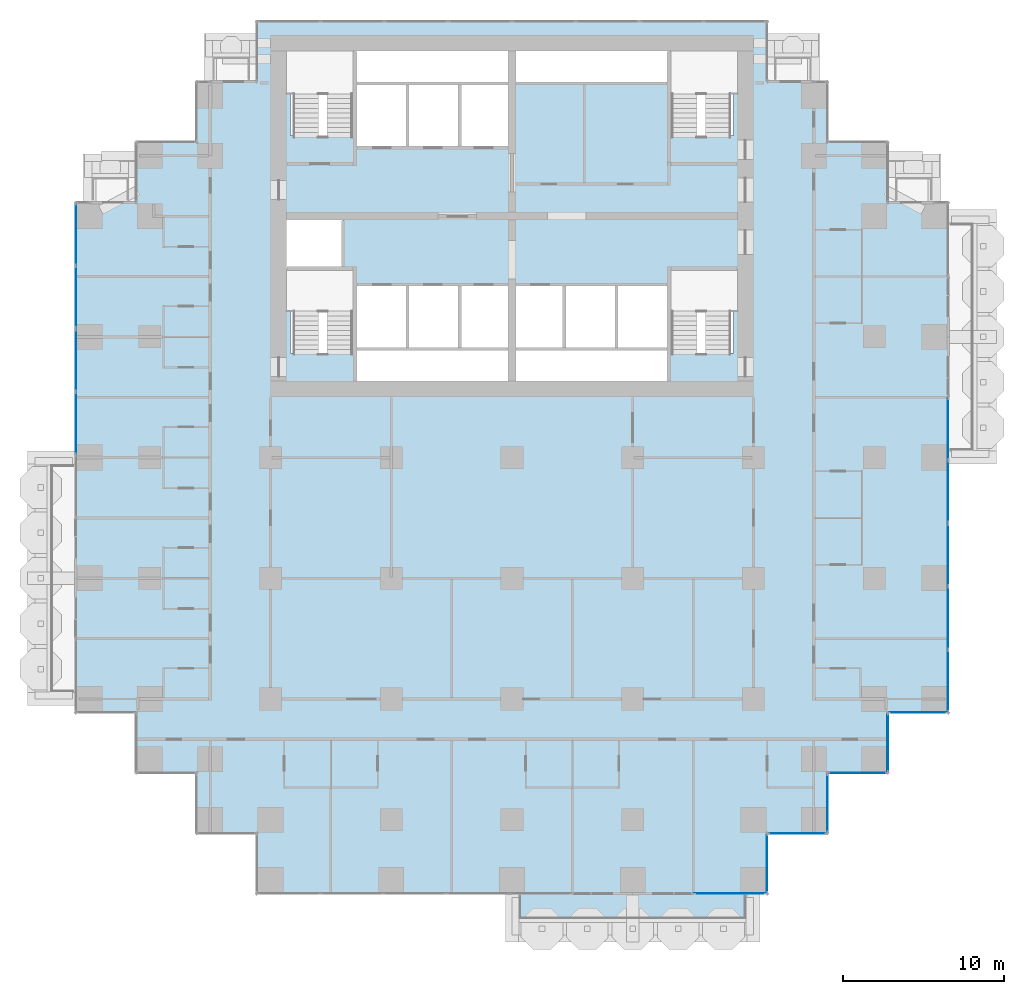
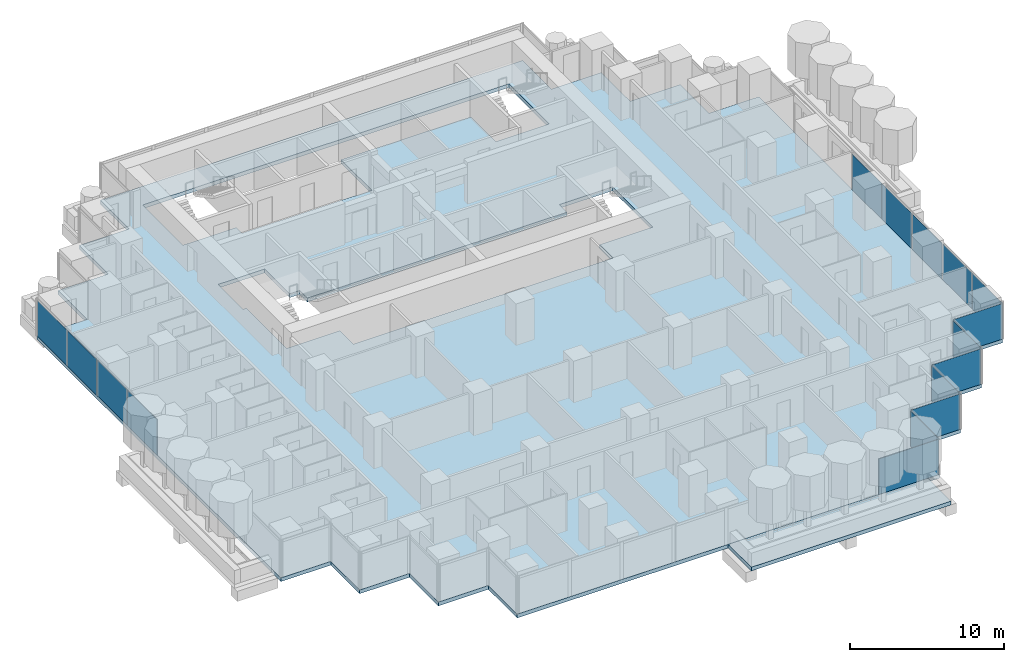
# One storey, part 7 of 18: 16 plates, 2 slabs, 11 elements without a shape of their own.
"""IFC4 building model written with IfcOpenShell, lengths in metres."""

from ifc_helpers import new_model, si_unit, direction, frame, origin, origin_2d, place, context, subcontext, project, spatial, polyline, rectangle, outline, extrude, material, layer, layer_set, type_object, element, aggregate, save


model = new_model("IFC4")

# Units and contexts
model_context = context("Model", 3, precision=1e-05, world=origin(), true_north=direction((0.0, 1.0)))
body_context = subcontext(model_context, "Body", "Model", "MODEL_VIEW")
ifc_project = project(units=[si_unit("LENGTHUNIT", "METRE"), si_unit("AREAUNIT", "SQUARE_METRE"), si_unit("VOLUMEUNIT", "CUBIC_METRE"), si_unit("PLANEANGLEUNIT", "RADIAN"), si_unit("MASSUNIT", "GRAM", prefix="KILO")], contexts=[model_context])

# Site, building, storey
site_placement = place(None, origin())
site = spatial("IfcSite", under=ifc_project, at=site_placement, CompositionType="ELEMENT")
building_placement = place(site_placement, origin())
building = spatial("IfcBuilding", under=site, at=building_placement, Name="Pilkhan Gate Tower", CompositionType="ELEMENT")
storey_placement = place(building_placement, frame((0.0, 0.0, 52.699951171875)))
storey = spatial("IfcBuildingStorey", under=building, at=storey_placement, Name="L10", CompositionType="ELEMENT", Elevation=52.699951171875)

# Slabs
ifc_material_1 = material(Name="Concrete C60/75", Category="concrete")
ifc_layer_1 = layer(ifc_material_1, 0.300048828125)
ifc_layer_set_1 = layer_set([ifc_layer_1], Name="Balcony tray slab TR300")
slab_type_1 = type_object("IfcSlabType", Name="Balcony tray slab TR300", PredefinedType="FLOOR", material=ifc_layer_set_1)
slab_1_placement = place(storey_placement, frame((0.0, 0.0, -0.300048828125)))
element("IfcSlab", 1, at=slab_1_placement, inside=storey, type_object=slab_type_1, Name="Balcony tray L10 S", PredefinedType="FLOOR", context=body_context, shape_type="SweptSolid", body=[
    extrude(outline(polyline([(90.0, 37.39990234375), (90.0, 40.39990234375), (75.0, 40.39990234375), (75.0, 37.39990234375), (90.0, 37.39990234375)])), origin(), (0.0, 0.0, 1.0), 0.300048828125),
])
ifc_material_2 = material(Name="Concrete C40/50", Category="concrete")
ifc_layer_2 = layer(ifc_material_2, 0.300048828125)
ifc_layer_set_2 = layer_set([ifc_layer_2], Name="Flat plate slab FP300")
slab_type_2 = type_object("IfcSlabType", Name="Flat plate slab FP300", PredefinedType="FLOOR", material=ifc_layer_set_2)
slab_2_placement = place(storey_placement, frame((0.0, 0.0, -0.300048828125)))
element("IfcSlab", 2, at=slab_2_placement, inside=storey, type_object=slab_type_2, Name="Floor slab L10", PredefinedType="FLOOR", context=body_context, shape_type="SweptSolid", body=[
    extrude(outline(polyline([(98.35009765625, 47.89990234375), (94.60009765625, 47.89990234375), (94.60009765625, 44.14990234375), (90.85009765625, 44.14990234375), (90.85009765625, 40.39990234375), (59.14990234375, 40.39990234375), (59.14990234375, 44.14990234375), (55.39990234375, 44.14990234375), (55.39990234375, 47.89990234375), (51.64990234375, 47.89990234375), (51.64990234375, 51.64990234375), (47.89990234375, 51.64990234375), (47.89990234375, 83.35009765625), (51.64990234375, 83.35009765625), (51.64990234375, 87.10009765625), (55.39990234375, 87.10009765625), (55.39990234375, 90.85009765625), (59.14990234375, 90.85009765625), (59.14990234375, 94.60009765625), (90.85009765625, 94.60009765625), (90.85009765625, 90.85009765625), (94.60009765625, 90.85009765625), (94.60009765625, 87.10009765625), (98.35009765625, 87.10009765625), (98.35009765625, 83.35009765625), (102.10009765625, 83.35009765625), (102.10009765625, 51.64990234375), (98.35009765625, 51.64990234375), (98.35009765625, 47.89990234375)]), holes=[polyline([(65.25, 87.5), (65.25, 86.75), (68.5, 86.75), (71.75, 86.75), (75.0, 86.75), (75.0, 90.75), (84.75, 90.75), (84.75, 87.5), (88.75, 87.5), (88.75, 92.75), (84.75, 92.75), (75.0, 92.75), (65.25, 92.75), (61.25, 92.75), (61.25, 87.5), (65.25, 87.5)]), polyline([(75.0, 72.25), (84.75, 72.25), (84.75, 74.0), (88.75, 74.0), (88.75, 79.25), (84.75, 79.25), (84.75, 78.25), (81.5, 78.25), (78.25, 78.25), (75.0, 78.25), (71.75, 78.25), (68.5, 78.25), (65.25, 78.25), (65.25, 79.25), (64.5, 79.25), (64.5, 82.5), (61.25, 82.5), (61.0, 82.5), (61.0, 79.25), (61.25, 79.25), (61.25, 74.0), (65.25, 74.0), (65.25, 72.25), (75.0, 72.25)])]), origin(), (0.0, 0.0, 1.0), 0.300048828125),
])

# Curtain wall, plates
ifc_material_3 = material(Name="Pale anodised aluminium, clear low-iron double glazing", Category="aluminium")
curtain_wall_type = type_object("IfcCurtainWallType", Name="Hotel unitised curtain wall CW-H", PredefinedType="USERDEFINED", material=ifc_material_3)
curtain_wall_1_placement = place(storey_placement, origin())
curtain_wall_1 = element("IfcCurtainWall", 3, at=curtain_wall_1_placement, inside=storey, type_object=curtain_wall_type, Name="Hotel unitised curtain wall CW-H L10 E", ObjectType="UNITISED CURTAIN WALL", PredefinedType="USERDEFINED")
ifc_material_4 = material(Name="Clear low-iron double glazing", Category="glass")
ifc_layer_3 = layer(ifc_material_4, 0.035888671875)
ifc_layer_set_3 = layer_set([ifc_layer_3], Name="Glass panel CW-H 36")
plate_type = type_object("IfcPlateType", Name="Glass panel CW-H 36", PredefinedType="CURTAIN_PANEL", material=ifc_layer_set_3)
plate_1_placement = place(storey_placement, frame((102.094970703125, 53.630859375, 0.0), z_axis=(0.0, 0.0, 1.0), x_axis=(0.0, 1.0, 0.0)))
plate_1 = element("IfcPlate", 4, at=plate_1_placement, type_object=plate_type, Name="CW-H panel 1", PredefinedType="CURTAIN_PANEL", context=body_context, shape_type="SweptSolid", body=[
    extrude(rectangle(XDim=3.821533203125, YDim=0.035888671875, at=origin_2d()), origin(), (0.0, 0.0, 1.0), 2.820068359375),
])
plate_2_placement = place(storey_placement, frame((102.094970703125, 57.533447265625, 0.0), z_axis=(0.0, 0.0, 1.0), x_axis=(0.0, 1.0, 0.0)))
plate_2 = element("IfcPlate", 5, at=plate_2_placement, type_object=plate_type, Name="CW-H panel 2", PredefinedType="CURTAIN_PANEL", context=body_context, shape_type="SweptSolid", body=[
    extrude(rectangle(XDim=3.85400390625, YDim=0.035888671875, at=origin_2d()), origin(), (0.0, 0.0, 1.0), 2.820068359375),
])
plate_3_placement = place(storey_placement, frame((102.094970703125, 61.436279296875, 0.0), z_axis=(0.0, 0.0, 1.0), x_axis=(0.0, 1.0, 0.0)))
plate_3 = element("IfcPlate", 6, at=plate_3_placement, type_object=plate_type, Name="CW-H panel 3", PredefinedType="CURTAIN_PANEL", context=body_context, shape_type="SweptSolid", body=[
    extrude(rectangle(XDim=3.821533203125, YDim=0.035888671875, at=origin_2d()), origin(), (0.0, 0.0, 1.0), 2.820068359375),
])
aggregate(curtain_wall_1, [plate_1, plate_2, plate_3])

curtain_wall_2_placement = place(storey_placement, origin())
curtain_wall_2 = element("IfcCurtainWall", 7, at=curtain_wall_2_placement, inside=storey, type_object=curtain_wall_type, Name="Hotel unitised curtain wall CW-H L10 E", ObjectType="UNITISED CURTAIN WALL", PredefinedType="USERDEFINED")
plate_4_placement = place(storey_placement, frame((102.094970703125, 65.3876953125, 0.0), z_axis=(0.0, 0.0, 1.0), x_axis=(0.0, 1.0, 0.0)))
plate_4 = element("IfcPlate", 8, at=plate_4_placement, type_object=plate_type, Name="CW-H panel 1", PredefinedType="CURTAIN_PANEL", context=body_context, shape_type="SweptSolid", body=[
    extrude(rectangle(XDim=3.821533203125, YDim=0.035888671875, at=origin_2d()), origin(), (0.0, 0.0, 1.0), 2.820068359375),
])
plate_5_placement = place(storey_placement, frame((102.094970703125, 69.274169921875, 0.0), z_axis=(0.0, 0.0, 1.0), x_axis=(0.0, 1.0, 0.0)))
plate_5 = element("IfcPlate", 9, at=plate_5_placement, type_object=plate_type, Name="CW-H panel 2", PredefinedType="CURTAIN_PANEL", context=body_context, shape_type="SweptSolid", body=[
    extrude(rectangle(XDim=3.821533203125, YDim=0.035888671875, at=origin_2d()), origin(), (0.0, 0.0, 1.0), 2.820068359375),
])
aggregate(curtain_wall_2, [plate_4, plate_5])

curtain_wall_3_placement = place(storey_placement, origin())
curtain_wall_3 = element("IfcCurtainWall", 10, at=curtain_wall_3_placement, inside=storey, type_object=curtain_wall_type, Name="Hotel unitised curtain wall CW-H L10 W", ObjectType="UNITISED CURTAIN WALL", PredefinedType="USERDEFINED")
plate_6_placement = place(storey_placement, frame((47.905029296875, 69.62841796875, 0.0), z_axis=(0.0, 0.0, 1.0), x_axis=(0.0, 1.0, 0.0)))
plate_6 = element("IfcPlate", 11, at=plate_6_placement, type_object=plate_type, Name="CW-H panel 2", PredefinedType="CURTAIN_PANEL", context=body_context, shape_type="SweptSolid", body=[
    extrude(rectangle(XDim=3.85400390625, YDim=0.035888671875, at=origin_2d()), origin(), (0.0, 0.0, 1.0), 2.820068359375),
])
plate_7_placement = place(storey_placement, frame((47.905029296875, 73.53125, 0.0), z_axis=(0.0, 0.0, 1.0), x_axis=(0.0, 1.0, 0.0)))
plate_7 = element("IfcPlate", 12, at=plate_7_placement, type_object=plate_type, Name="CW-H panel 3", PredefinedType="CURTAIN_PANEL", context=body_context, shape_type="SweptSolid", body=[
    extrude(rectangle(XDim=3.821533203125, YDim=0.035888671875, at=origin_2d()), origin(), (0.0, 0.0, 1.0), 2.820068359375),
])
aggregate(curtain_wall_3, [plate_6, plate_7])

curtain_wall_4_placement = place(storey_placement, origin())
curtain_wall_4 = element("IfcCurtainWall", 13, at=curtain_wall_4_placement, inside=storey, type_object=curtain_wall_type, Name="Hotel unitised curtain wall CW-H L10 W", ObjectType="UNITISED CURTAIN WALL", PredefinedType="USERDEFINED")
plate_8_placement = place(storey_placement, frame((47.905029296875, 77.482666015625, 0.0), z_axis=(0.0, 0.0, 1.0), x_axis=(0.0, 1.0, 0.0)))
plate_8 = element("IfcPlate", 14, at=plate_8_placement, type_object=plate_type, Name="CW-H panel 1", PredefinedType="CURTAIN_PANEL", context=body_context, shape_type="SweptSolid", body=[
    extrude(rectangle(XDim=3.821533203125, YDim=0.035888671875, at=origin_2d()), origin(), (0.0, 0.0, 1.0), 2.820068359375),
])
plate_9_placement = place(storey_placement, frame((47.905029296875, 81.369140625, 0.0), z_axis=(0.0, 0.0, 1.0), x_axis=(0.0, 1.0, 0.0)))
plate_9 = element("IfcPlate", 15, at=plate_9_placement, type_object=plate_type, Name="CW-H panel 2", PredefinedType="CURTAIN_PANEL", context=body_context, shape_type="SweptSolid", body=[
    extrude(rectangle(XDim=3.821533203125, YDim=0.035888671875, at=origin_2d()), origin(), (0.0, 0.0, 1.0), 2.820068359375),
])
aggregate(curtain_wall_4, [plate_8, plate_9])

# Curtain wall, plate
curtain_wall_5_placement = place(storey_placement, origin())
curtain_wall_5 = element("IfcCurtainWall", 16, at=curtain_wall_5_placement, inside=storey, type_object=curtain_wall_type, Name="Hotel unitised curtain wall CW-H L10 S", ObjectType="UNITISED CURTAIN WALL", PredefinedType="USERDEFINED")
plate_10_placement = place(storey_placement, frame((88.547607421875, 40.405029296875, 0.0), z_axis=(0.0, 0.0, 1.0), x_axis=(1.0, 0.0, 0.0)))
plate_10 = element("IfcPlate", 17, at=plate_10_placement, type_object=plate_type, Name="CW-H panel 1", PredefinedType="CURTAIN_PANEL", context=body_context, shape_type="SweptSolid", body=[
    extrude(rectangle(XDim=4.465087890625, YDim=0.035888671875, at=origin_2d()), origin(), (0.0, 0.0, 1.0), 2.820068359375),
])
aggregate(curtain_wall_5, [plate_10])

curtain_wall_6_placement = place(storey_placement, origin())
curtain_wall_6 = element("IfcCurtainWall", 18, at=curtain_wall_6_placement, inside=storey, type_object=curtain_wall_type, Name="Hotel unitised curtain wall CW-H L10 E", ObjectType="UNITISED CURTAIN WALL", PredefinedType="USERDEFINED")
plate_11_placement = place(storey_placement, frame((90.844970703125, 42.280029296875, 0.0), z_axis=(0.0, 0.0, 1.0), x_axis=(0.0, 1.0, 0.0)))
plate_11 = element("IfcPlate", 19, at=plate_11_placement, type_object=plate_type, Name="CW-H panel 1", PredefinedType="CURTAIN_PANEL", context=body_context, shape_type="SweptSolid", body=[
    extrude(rectangle(XDim=3.6201171875, YDim=0.035888671875, at=origin_2d()), origin(), (0.0, 0.0, 1.0), 2.820068359375),
])
aggregate(curtain_wall_6, [plate_11])

curtain_wall_7_placement = place(storey_placement, origin())
curtain_wall_7 = element("IfcCurtainWall", 20, at=curtain_wall_7_placement, inside=storey, type_object=curtain_wall_type, Name="Hotel unitised curtain wall CW-H L10 S", ObjectType="UNITISED CURTAIN WALL", PredefinedType="USERDEFINED")
plate_12_placement = place(storey_placement, frame((92.719970703125, 44.155029296875, 0.0), z_axis=(0.0, 0.0, 1.0), x_axis=(1.0, 0.0, 0.0)))
plate_12 = element("IfcPlate", 21, at=plate_12_placement, type_object=plate_type, Name="CW-H panel 1", PredefinedType="CURTAIN_PANEL", context=body_context, shape_type="SweptSolid", body=[
    extrude(rectangle(XDim=3.6201171875, YDim=0.035888671875, at=origin_2d()), origin(), (0.0, 0.0, 1.0), 2.820068359375),
])
aggregate(curtain_wall_7, [plate_12])

curtain_wall_8_placement = place(storey_placement, origin())
curtain_wall_8 = element("IfcCurtainWall", 22, at=curtain_wall_8_placement, inside=storey, type_object=curtain_wall_type, Name="Hotel unitised curtain wall CW-H L10 E", ObjectType="UNITISED CURTAIN WALL", PredefinedType="USERDEFINED")
plate_13_placement = place(storey_placement, frame((94.594970703125, 46.030029296875, 0.0), z_axis=(0.0, 0.0, 1.0), x_axis=(0.0, 1.0, 0.0)))
plate_13 = element("IfcPlate", 23, at=plate_13_placement, type_object=plate_type, Name="CW-H panel 1", PredefinedType="CURTAIN_PANEL", context=body_context, shape_type="SweptSolid", body=[
    extrude(rectangle(XDim=3.6201171875, YDim=0.035888671875, at=origin_2d()), origin(), (0.0, 0.0, 1.0), 2.820068359375),
])
aggregate(curtain_wall_8, [plate_13])

curtain_wall_9_placement = place(storey_placement, origin())
curtain_wall_9 = element("IfcCurtainWall", 24, at=curtain_wall_9_placement, inside=storey, type_object=curtain_wall_type, Name="Hotel unitised curtain wall CW-H L10 S", ObjectType="UNITISED CURTAIN WALL", PredefinedType="USERDEFINED")
plate_14_placement = place(storey_placement, frame((96.469970703125, 47.905029296875, 0.0), z_axis=(0.0, 0.0, 1.0), x_axis=(1.0, 0.0, 0.0)))
plate_14 = element("IfcPlate", 25, at=plate_14_placement, type_object=plate_type, Name="CW-H panel 1", PredefinedType="CURTAIN_PANEL", context=body_context, shape_type="SweptSolid", body=[
    extrude(rectangle(XDim=3.6201171875, YDim=0.035888671875, at=origin_2d()), origin(), (0.0, 0.0, 1.0), 2.820068359375),
])
aggregate(curtain_wall_9, [plate_14])

curtain_wall_10_placement = place(storey_placement, origin())
curtain_wall_10 = element("IfcCurtainWall", 26, at=curtain_wall_10_placement, inside=storey, type_object=curtain_wall_type, Name="Hotel unitised curtain wall CW-H L10 E", ObjectType="UNITISED CURTAIN WALL", PredefinedType="USERDEFINED")
plate_15_placement = place(storey_placement, frame((98.344970703125, 49.780029296875, 0.0), z_axis=(0.0, 0.0, 1.0), x_axis=(0.0, 1.0, 0.0)))
plate_15 = element("IfcPlate", 27, at=plate_15_placement, type_object=plate_type, Name="CW-H panel 1", PredefinedType="CURTAIN_PANEL", context=body_context, shape_type="SweptSolid", body=[
    extrude(rectangle(XDim=3.6201171875, YDim=0.035888671875, at=origin_2d()), origin(), (0.0, 0.0, 1.0), 2.820068359375),
])
aggregate(curtain_wall_10, [plate_15])

curtain_wall_11_placement = place(storey_placement, origin())
curtain_wall_11 = element("IfcCurtainWall", 28, at=curtain_wall_11_placement, inside=storey, type_object=curtain_wall_type, Name="Hotel unitised curtain wall CW-H L10 S", ObjectType="UNITISED CURTAIN WALL", PredefinedType="USERDEFINED")
plate_16_placement = place(storey_placement, frame((100.219970703125, 51.655029296875, 0.0), z_axis=(0.0, 0.0, 1.0), x_axis=(1.0, 0.0, 0.0)))
plate_16 = element("IfcPlate", 29, at=plate_16_placement, type_object=plate_type, Name="CW-H panel 1", PredefinedType="CURTAIN_PANEL", context=body_context, shape_type="SweptSolid", body=[
    extrude(rectangle(XDim=3.6201171875, YDim=0.035888671875, at=origin_2d()), origin(), (0.0, 0.0, 1.0), 2.820068359375),
])
aggregate(curtain_wall_11, [plate_16])

save(model, "model.ifc")
